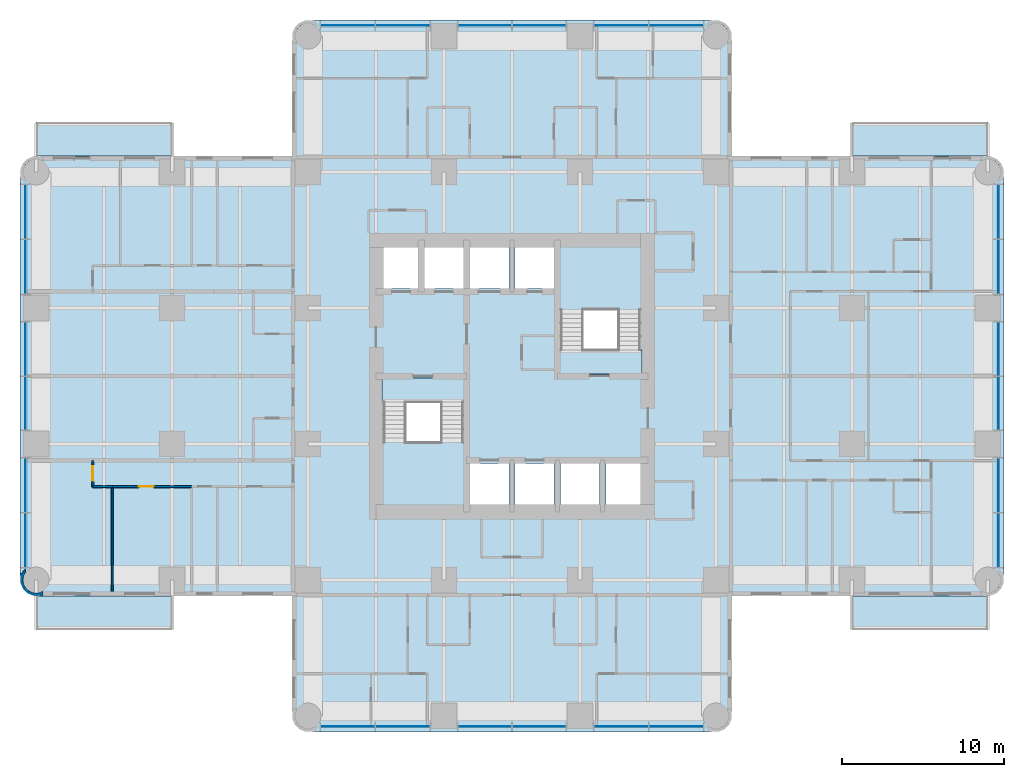
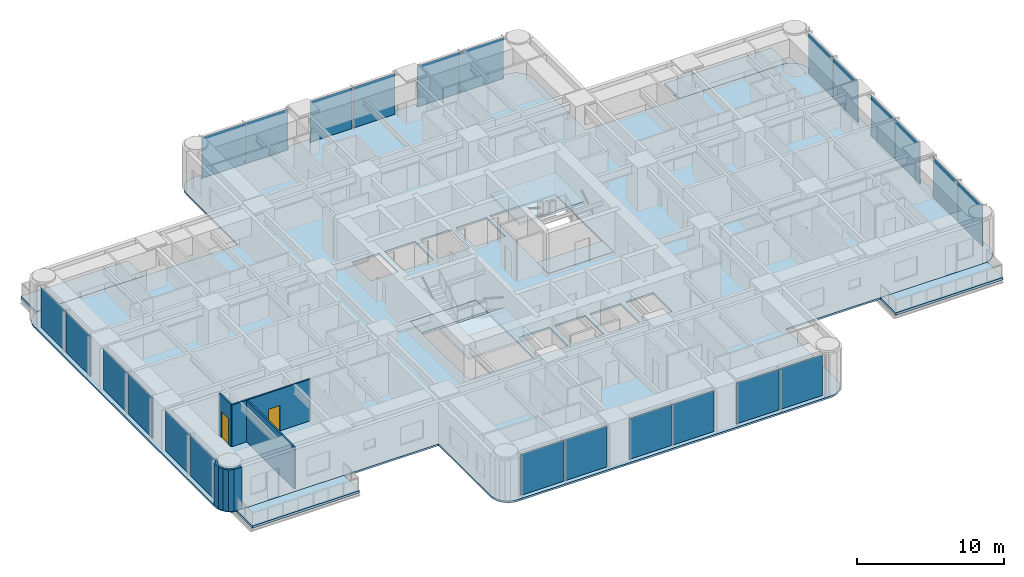
# One storey, part 5 of 14: 24 plates, 9 slabs, 5 walls, 2 doors, 2 openings, 6 elements without a shape of their own.
"""IFC4 building model written with IfcOpenShell, lengths in metres."""

import ifcopenshell
import ifcopenshell.guid

model = None  # the IFC model being written
_history = None  # IfcOwnerHistory: only IFC2X3 demands one
_inside = {}  # id of a spatial element -> (the spatial element, [elements in it])
_under = {}  # id of a project, library or spatial element -> (it, [spatial elements below it])
_declared = {}  # id of a project -> (the project, [libraries it declares])
_typed = {}  # id of a type object -> (the type object, [elements of that type])
_made_of = {}  # id of a material, layer set ... -> (it, [elements and type objects made of it])


def new_model(schema):
    """Start an empty IFC model of exactly this schema.

    Asked for "IFC4X3", IfcOpenShell would pick the latest addendum, in which some entities
    have other attributes; the version numbers below select the first issue.
    IFC2X3 requires an IfcOwnerHistory on every rooted entity: one is made here for all.
    """
    global model, _history
    if schema == "IFC4X3":
        model = ifcopenshell.file(schema_version=(4, 3, 0, 0))
    else:
        model = ifcopenshell.file(schema=schema)
    _inside.clear()
    _under.clear()
    _declared.clear()
    _typed.clear()
    _made_of.clear()
    _history = None
    if model.schema == "IFC2X3":
        org = make("IfcOrganization", Name="unknown")
        user = make(
            "IfcPersonAndOrganization",
            ThePerson=make("IfcPerson", FamilyName="unknown"),
            TheOrganization=org,
        )
        app = make(
            "IfcApplication",
            ApplicationDeveloper=org,
            Version="unknown",
            ApplicationFullName="unknown",
            ApplicationIdentifier="unknown",
        )
        _history = make(
            "IfcOwnerHistory",
            OwningUser=user,
            OwningApplication=app,
            ChangeAction="ADDED",
            CreationDate=0,
        )
    return model


def make(cls, **values):
    """One entity of the class cls with the attributes given. An attribute that is None is left unset."""
    return model.create_entity(
        cls, **{name: value for name, value in values.items() if value is not None}
    )


def rooted(cls, **values):
    """An entity with a GlobalId (a new one), such as an element, a storey or a relation."""
    return make(cls, GlobalId=ifcopenshell.guid.new(), OwnerHistory=_history, **values)


def si_unit(unit_type, name, prefix=None):
    """IfcSIUnit, for example si_unit("LENGTHUNIT", "METRE", prefix="MILLI")."""
    return make("IfcSIUnit", UnitType=unit_type, Prefix=prefix, Name=name)


def assignment(units):
    """IfcUnitAssignment: the units of a project."""
    return None if units is None else make("IfcUnitAssignment", Units=units)


def point(xyz):
    """IfcCartesianPoint."""
    return None if xyz is None else make("IfcCartesianPoint", Coordinates=xyz)


def direction(xyz):
    """IfcDirection."""
    return None if xyz is None else make("IfcDirection", DirectionRatios=xyz)


def frame(location, z_axis=None, x_axis=None):
    """IfcAxis2Placement3D, a coordinate frame: its origin and axes. An axis left out is left unset."""
    return make(
        "IfcAxis2Placement3D",
        Location=point(location),
        Axis=direction(z_axis),
        RefDirection=direction(x_axis),
    )


def frame_2d(location, x_axis=None):
    """IfcAxis2Placement2D, a coordinate frame in the plane: its origin and x axis."""
    return make(
        "IfcAxis2Placement2D", Location=point(location), RefDirection=direction(x_axis)
    )


def origin():
    """The frame at (0, 0, 0) with its axes left unset."""
    return frame((0.0, 0.0, 0.0))


def origin_2d():
    """The frame at (0, 0) in the plane with its x axis left unset."""
    return frame_2d((0.0, 0.0))


def place(relative_to, where):
    """IfcLocalPlacement: puts the frame where relative to a parent placement (None: the world)."""
    return make(
        "IfcLocalPlacement", PlacementRelTo=relative_to, RelativePlacement=where
    )


def context(
    kind, dimensions, precision=None, world=None, true_north=None, identifier=None
):
    """IfcGeometricRepresentationContext, for example the 3D "Model" context."""
    return make(
        "IfcGeometricRepresentationContext",
        ContextIdentifier=identifier,
        ContextType=kind,
        CoordinateSpaceDimension=dimensions,
        Precision=precision,
        WorldCoordinateSystem=world,
        TrueNorth=true_north,
    )


def subcontext(parent, identifier, kind, view, scale=None):
    """IfcGeometricRepresentationSubContext, for example "Body" below "Model"."""
    return make(
        "IfcGeometricRepresentationSubContext",
        ContextIdentifier=identifier,
        ContextType=kind,
        ParentContext=parent,
        TargetScale=scale,
        TargetView=view,
    )


def project(units=None, contexts=None):
    """IfcProject with its units and contexts."""
    return rooted(
        "IfcProject",
        Name="project",
        RepresentationContexts=contexts,
        UnitsInContext=assignment(units),
    )


def spatial(cls, under=None, at=None, **own):
    """A site, building, storey or space (cls), placed at a placement, below another one or the project."""
    s = rooted(cls, ObjectPlacement=at, **own)
    if under is not None:
        _under.setdefault(under.id(), (under, []))[1].append(s)
    return s


def polyline(points):
    """IfcPolyline through the points."""
    return make("IfcPolyline", Points=[point(p) for p in points])


def profile(cls, at=None, kind="AREA", **sizes):
    """A parametric profile (cls). Its sizes go by their IFC names, for example OverallWidth=200.0."""
    return make(cls, ProfileType=kind, Position=at, **sizes)


def rectangle(**sizes):
    """IfcRectangleProfileDef."""
    return profile("IfcRectangleProfileDef", **sizes)


def outline(outer, holes=None, kind="AREA"):
    """IfcArbitraryClosedProfileDef: a profile drawn as a closed curve; with holes, ...WithVoids."""
    if holes is None:
        return make("IfcArbitraryClosedProfileDef", ProfileType=kind, OuterCurve=outer)
    return make(
        "IfcArbitraryProfileDefWithVoids",
        ProfileType=kind,
        OuterCurve=outer,
        InnerCurves=holes,
    )


def extrude(swept, where, along, depth):
    """IfcExtrudedAreaSolid: the profile swept, set in the frame where, extruded along a direction by depth."""
    return make(
        "IfcExtrudedAreaSolid",
        SweptArea=swept,
        Position=where,
        ExtrudedDirection=direction(along),
        Depth=depth,
    )


def shape(context_of_items, identifier, shape_type, items):
    """IfcShapeRepresentation: the items that make up one representation, for example the "Body"."""
    return make(
        "IfcShapeRepresentation",
        ContextOfItems=context_of_items,
        RepresentationIdentifier=identifier,
        RepresentationType=shape_type,
        Items=items,
    )


def material(Name=None, Category=None):
    """IfcMaterial."""
    return make("IfcMaterial", Name=Name, Category=Category)


def layer(
    of_material, thickness, ventilated=None, Name=None, Category=None, Priority=None
):
    """IfcMaterialLayer: one layer of a wall or slab, of a material (None: an air gap)."""
    return make(
        "IfcMaterialLayer",
        Material=of_material,
        LayerThickness=thickness,
        IsVentilated=ventilated,
        Name=Name,
        Category=Category,
        Priority=Priority,
    )


def layer_set(layers, Name=None):
    """IfcMaterialLayerSet."""
    return make("IfcMaterialLayerSet", MaterialLayers=layers, LayerSetName=Name)


def made_of(thing, what):
    """Note that an element or type object is made of a material, layer set ...; save() writes the relation."""
    if what is not None:
        _made_of.setdefault(what.id(), (what, []))[1].append(thing)
    return thing


def type_object(cls, material=None, **own):
    """A type object (cls), such as IfcWallType, which elements share."""
    return made_of(rooted(cls, **own), material)


def element(
    cls,
    number,
    at=None,
    inside=None,
    cuts=None,
    type_object=None,
    material=None,
    context=None,
    identifier="Body",
    shape_type=None,
    held_by="IfcProductDefinitionShape",
    body=None,
    shapes=None,
    **own,
):
    """One element of the class cls, such as IfcWall. Its Tag is "e" and its number.

    at: its placement. inside: the storey or other place that contains it. cuts: it is an
    opening in that element (IfcRelVoidsElement). A single representation is given by context,
    identifier, shape_type and body (its items); several are given by shapes. held_by: the class
    of the entity that holds the representations. save() writes the other relations.
    """
    e = rooted(cls, Tag="e%d" % number, ObjectPlacement=at, **own)
    if body is not None:
        shapes = [shape(context, identifier, shape_type, body)]
    if shapes is not None:
        e.Representation = make(held_by, Representations=shapes)
    if inside is not None:
        _inside.setdefault(inside.id(), (inside, []))[1].append(e)
    if cuts is not None:
        rooted(
            "IfcRelVoidsElement", RelatingBuildingElement=cuts, RelatedOpeningElement=e
        )
    if type_object is not None:
        _typed.setdefault(type_object.id(), (type_object, []))[1].append(e)
    return made_of(e, material)


def fill(opening, filler):
    """IfcRelFillsElement: the door or window that sits in an opening."""
    return rooted(
        "IfcRelFillsElement",
        RelatingOpeningElement=opening,
        RelatedBuildingElement=filler,
    )


def aggregate(whole, parts):
    """IfcRelAggregates: a whole, such as a stair, and the parts it consists of."""
    return rooted("IfcRelAggregates", RelatingObject=whole, RelatedObjects=parts)


def save(model, path):
    """Write the relations noted so far, then the file.

    IfcRelAggregates (storeys below a building ...), IfcRelContainedInSpatialStructure (elements
    in a storey), IfcRelDefinesByType, IfcRelAssociatesMaterial and IfcRelDeclares: one each for
    every whole, place, type object, material and project.
    """
    for whole, parts in _under.values():
        aggregate(whole, parts)
    for where, things in _inside.values():
        rooted(
            "IfcRelContainedInSpatialStructure",
            RelatedElements=things,
            RelatingStructure=where,
        )
    for kind, things in _typed.values():
        rooted("IfcRelDefinesByType", RelatedObjects=things, RelatingType=kind)
    for what, things in _made_of.values():
        rooted("IfcRelAssociatesMaterial", RelatedObjects=things, RelatingMaterial=what)
    for by, libraries in _declared.values():
        rooted("IfcRelDeclares", RelatingContext=by, RelatedDefinitions=libraries)
    model.write(path)


model = new_model("IFC4")

# Units and contexts
model_context = context("Model", 3, precision=1e-05, world=origin(), true_north=direction((0.0, 1.0)))
body_context = subcontext(model_context, "Body", "Model", "MODEL_VIEW")
ifc_project = project(units=[si_unit("LENGTHUNIT", "METRE"), si_unit("AREAUNIT", "SQUARE_METRE"), si_unit("VOLUMEUNIT", "CUBIC_METRE"), si_unit("PLANEANGLEUNIT", "RADIAN"), si_unit("MASSUNIT", "GRAM", prefix="KILO")], contexts=[model_context])

# Site, building, storey
site_placement = place(None, origin())
site = spatial("IfcSite", under=ifc_project, at=site_placement, CompositionType="ELEMENT")
building_placement = place(site_placement, origin())
building = spatial("IfcBuilding", under=site, at=building_placement, Name="Torre Alcanfor", CompositionType="ELEMENT")
storey_placement = place(building_placement, frame((0.0, 0.0, 137.699951171875)))
storey = spatial("IfcBuildingStorey", under=building, at=storey_placement, Name="L35", CompositionType="ELEMENT", Elevation=137.699951171875)

# Slabs
ifc_material_1 = material(Name="Concrete f'c 35 MPa", Category="concrete")
ifc_layer_1 = layer(ifc_material_1, 0.199951171875)
ifc_layer_set_1 = layer_set([ifc_layer_1], Name="Balcony slab 200")
slab_type_1 = type_object("IfcSlabType", Name="Balcony slab 200", PredefinedType="FLOOR", material=ifc_layer_set_1)
slab_1_placement = place(storey_placement, frame((0.0, 0.0, -0.199951171875)))
element("IfcSlab", 1, at=slab_1_placement, inside=storey, type_object=slab_type_1, Name="Balcony L35-E1", PredefinedType="FLOOR", context=body_context, shape_type="SweptSolid", body=[
    extrude(outline(polyline([(50.39990234375, 43.0), (58.800048828125, 43.0), (58.800048828125, 45.10009765625), (50.39990234375, 45.10009765625), (50.39990234375, 43.0)])), origin(), (0.0, 0.0, 1.0), 0.199951171875),
])
slab_2_placement = place(storey_placement, frame((0.0, 0.0, -0.199951171875)))
element("IfcSlab", 2, at=slab_2_placement, inside=storey, type_object=slab_type_1, Name="Balcony L35-E2", PredefinedType="FLOOR", context=body_context, shape_type="SweptSolid", body=[
    extrude(outline(polyline([(50.39990234375, 13.699951171875), (58.800048828125, 13.699951171875), (58.800048828125, 15.800048828125), (50.39990234375, 15.800048828125), (50.39990234375, 13.699951171875)])), origin(), (0.0, 0.0, 1.0), 0.199951171875),
])
slab_3_placement = place(storey_placement, frame((0.0, 0.0, -0.199951171875)))
element("IfcSlab", 3, at=slab_3_placement, inside=storey, type_object=slab_type_1, Name="Balcony L35-W1", PredefinedType="FLOOR", context=body_context, shape_type="SweptSolid", body=[
    extrude(outline(polyline([(8.39990234375, 15.800048828125), (0.0, 15.800048828125), (0.0, 13.699951171875), (8.39990234375, 13.699951171875), (8.39990234375, 15.800048828125)])), origin(), (0.0, 0.0, 1.0), 0.199951171875),
])
slab_4_placement = place(storey_placement, frame((0.0, 0.0, -0.199951171875)))
element("IfcSlab", 4, at=slab_4_placement, inside=storey, type_object=slab_type_1, Name="Balcony L35-W2", PredefinedType="FLOOR", context=body_context, shape_type="SweptSolid", body=[
    extrude(outline(polyline([(8.39990234375, 45.10009765625), (0.0, 45.10009765625), (0.0, 43.0), (8.39990234375, 43.0), (8.39990234375, 45.10009765625)])), origin(), (0.0, 0.0, 1.0), 0.199951171875),
])

# Curtain wall, plates
ifc_material_2 = material(Name="Aluminium and glass", Category="aluminium")
curtain_wall_type = type_object("IfcCurtainWallType", Name="CW-A unitised apartment glazing with vertical FIN", PredefinedType="NOTDEFINED", material=ifc_material_2)
curtain_wall_1_placement = place(storey_placement, origin())
curtain_wall_1 = element("IfcCurtainWall", 5, at=curtain_wall_1_placement, inside=storey, type_object=curtain_wall_type, Name="Curtain wall CW-A L35 2", PredefinedType="NOTDEFINED")
ifc_material_3 = material(Name="Glass", Category="glass")
ifc_layer_2 = layer(ifc_material_3, 0.028076171875)
ifc_layer_set_2 = layer_set([ifc_layer_2], Name="CW-A clear double glazed unit")
plate_type = type_object("IfcPlateType", Name="CW-A clear double glazed unit", PredefinedType="CURTAIN_PANEL", material=ifc_layer_set_2)
plate_1_placement = place(storey_placement, frame((-0.64990234375, 39.541259765625, 0.0), z_axis=(0.0, 0.0, 1.0), x_axis=(0.0, -1.0, 0.0)))
plate_1 = element("IfcPlate", 6, at=plate_1_placement, type_object=plate_type, Name="CW-A panel 1.1.1", PredefinedType="CURTAIN_PANEL", context=body_context, shape_type="SweptSolid", body=[
    extrude(rectangle(XDim=3.337646484375, YDim=0.028076171875, at=origin_2d()), origin(), (0.0, 0.0, 1.0), 3.385009765625),
])
plate_2_placement = place(storey_placement, frame((-0.64990234375, 36.138671875, 0.0), z_axis=(0.0, 0.0, 1.0), x_axis=(0.0, -1.0, 0.0)))
plate_2 = element("IfcPlate", 7, at=plate_2_placement, type_object=plate_type, Name="CW-A panel 1.2.1", PredefinedType="CURTAIN_PANEL", context=body_context, shape_type="SweptSolid", body=[
    extrude(rectangle(XDim=3.337646484375, YDim=0.028076171875, at=origin_2d()), origin(), (0.0, 0.0, 1.0), 3.385009765625),
])
plate_3_placement = place(storey_placement, frame((-0.64990234375, 31.081298828125, 0.0), z_axis=(0.0, 0.0, 1.0), x_axis=(0.0, -1.0, 0.0)))
plate_3 = element("IfcPlate", 8, at=plate_3_placement, type_object=plate_type, Name="CW-A panel 2.1.1", PredefinedType="CURTAIN_PANEL", context=body_context, shape_type="SweptSolid", body=[
    extrude(rectangle(XDim=3.297607421875, YDim=0.028076171875, at=origin_2d()), origin(), (0.0, 0.0, 1.0), 3.385009765625),
])
plate_4_placement = place(storey_placement, frame((-0.64990234375, 27.71875, 0.0), z_axis=(0.0, 0.0, 1.0), x_axis=(0.0, -1.0, 0.0)))
plate_4 = element("IfcPlate", 9, at=plate_4_placement, type_object=plate_type, Name="CW-A panel 2.2.1", PredefinedType="CURTAIN_PANEL", context=body_context, shape_type="SweptSolid", body=[
    extrude(rectangle(XDim=3.297607421875, YDim=0.028076171875, at=origin_2d()), origin(), (0.0, 0.0, 1.0), 3.385009765625),
])
plate_5_placement = place(storey_placement, frame((-0.64990234375, 22.6611328125, 0.0), z_axis=(0.0, 0.0, 1.0), x_axis=(0.0, -1.0, 0.0)))
plate_5 = element("IfcPlate", 10, at=plate_5_placement, type_object=plate_type, Name="CW-A panel 3.1.1", PredefinedType="CURTAIN_PANEL", context=body_context, shape_type="SweptSolid", body=[
    extrude(rectangle(XDim=3.337646484375, YDim=0.028076171875, at=origin_2d()), origin(), (0.0, 0.0, 1.0), 3.385009765625),
])
plate_6_placement = place(storey_placement, frame((-0.64990234375, 19.2587890625, 0.0), z_axis=(0.0, 0.0, 1.0), x_axis=(0.0, -1.0, 0.0)))
plate_6 = element("IfcPlate", 11, at=plate_6_placement, type_object=plate_type, Name="CW-A panel 3.2.1", PredefinedType="CURTAIN_PANEL", context=body_context, shape_type="SweptSolid", body=[
    extrude(rectangle(XDim=3.337646484375, YDim=0.028076171875, at=origin_2d()), origin(), (0.0, 0.0, 1.0), 3.385009765625),
])
aggregate(curtain_wall_1, [plate_1, plate_2, plate_3, plate_4, plate_5, plate_6])

curtain_wall_2_placement = place(storey_placement, origin())
curtain_wall_2 = element("IfcCurtainWall", 12, at=curtain_wall_2_placement, inside=storey, type_object=curtain_wall_type, Name="Curtain wall CW-A L35 5", PredefinedType="NOTDEFINED")
plate_7_placement = place(storey_placement, frame((19.2587890625, 7.75, 0.0), z_axis=(0.0, 0.0, 1.0), x_axis=(1.0, 0.0, 0.0)))
plate_7 = element("IfcPlate", 13, at=plate_7_placement, type_object=plate_type, Name="CW-A panel 1.1.1", PredefinedType="CURTAIN_PANEL", context=body_context, shape_type="SweptSolid", body=[
    extrude(rectangle(XDim=3.337646484375, YDim=0.028076171875, at=origin_2d()), origin(), (0.0, 0.0, 1.0), 3.385009765625),
])
plate_8_placement = place(storey_placement, frame((22.6611328125, 7.75, 0.0), z_axis=(0.0, 0.0, 1.0), x_axis=(1.0, 0.0, 0.0)))
plate_8 = element("IfcPlate", 14, at=plate_8_placement, type_object=plate_type, Name="CW-A panel 1.2.1", PredefinedType="CURTAIN_PANEL", context=body_context, shape_type="SweptSolid", body=[
    extrude(rectangle(XDim=3.337646484375, YDim=0.028076171875, at=origin_2d()), origin(), (0.0, 0.0, 1.0), 3.385009765625),
])
plate_9_placement = place(storey_placement, frame((27.71875, 7.75, 0.0), z_axis=(0.0, 0.0, 1.0), x_axis=(1.0, 0.0, 0.0)))
plate_9 = element("IfcPlate", 15, at=plate_9_placement, type_object=plate_type, Name="CW-A panel 2.1.1", PredefinedType="CURTAIN_PANEL", context=body_context, shape_type="SweptSolid", body=[
    extrude(rectangle(XDim=3.297607421875, YDim=0.028076171875, at=origin_2d()), origin(), (0.0, 0.0, 1.0), 3.385009765625),
])
plate_10_placement = place(storey_placement, frame((31.081298828125, 7.75, 0.0), z_axis=(0.0, 0.0, 1.0), x_axis=(1.0, 0.0, 0.0)))
plate_10 = element("IfcPlate", 16, at=plate_10_placement, type_object=plate_type, Name="CW-A panel 2.2.1", PredefinedType="CURTAIN_PANEL", context=body_context, shape_type="SweptSolid", body=[
    extrude(rectangle(XDim=3.297607421875, YDim=0.028076171875, at=origin_2d()), origin(), (0.0, 0.0, 1.0), 3.385009765625),
])
plate_11_placement = place(storey_placement, frame((36.138671875, 7.75, 0.0), z_axis=(0.0, 0.0, 1.0), x_axis=(1.0, 0.0, 0.0)))
plate_11 = element("IfcPlate", 17, at=plate_11_placement, type_object=plate_type, Name="CW-A panel 3.1.1", PredefinedType="CURTAIN_PANEL", context=body_context, shape_type="SweptSolid", body=[
    extrude(rectangle(XDim=3.337646484375, YDim=0.028076171875, at=origin_2d()), origin(), (0.0, 0.0, 1.0), 3.385009765625),
])
plate_12_placement = place(storey_placement, frame((39.541259765625, 7.75, 0.0), z_axis=(0.0, 0.0, 1.0), x_axis=(1.0, 0.0, 0.0)))
plate_12 = element("IfcPlate", 18, at=plate_12_placement, type_object=plate_type, Name="CW-A panel 3.2.1", PredefinedType="CURTAIN_PANEL", context=body_context, shape_type="SweptSolid", body=[
    extrude(rectangle(XDim=3.337646484375, YDim=0.028076171875, at=origin_2d()), origin(), (0.0, 0.0, 1.0), 3.385009765625),
])
aggregate(curtain_wall_2, [plate_7, plate_8, plate_9, plate_10, plate_11, plate_12])

curtain_wall_3_placement = place(storey_placement, origin())
curtain_wall_3 = element("IfcCurtainWall", 19, at=curtain_wall_3_placement, inside=storey, type_object=curtain_wall_type, Name="Curtain wall CW-A L35 8", PredefinedType="NOTDEFINED")
plate_13_placement = place(storey_placement, frame((59.449951171875, 19.2587890625, 0.0), z_axis=(0.0, 0.0, 1.0), x_axis=(0.0, 1.0, 0.0)))
plate_13 = element("IfcPlate", 20, at=plate_13_placement, type_object=plate_type, Name="CW-A panel 1.1.1", PredefinedType="CURTAIN_PANEL", context=body_context, shape_type="SweptSolid", body=[
    extrude(rectangle(XDim=3.337646484375, YDim=0.028076171875, at=origin_2d()), origin(), (0.0, 0.0, 1.0), 3.385009765625),
])
plate_14_placement = place(storey_placement, frame((59.449951171875, 22.6611328125, 0.0), z_axis=(0.0, 0.0, 1.0), x_axis=(0.0, 1.0, 0.0)))
plate_14 = element("IfcPlate", 21, at=plate_14_placement, type_object=plate_type, Name="CW-A panel 1.2.1", PredefinedType="CURTAIN_PANEL", context=body_context, shape_type="SweptSolid", body=[
    extrude(rectangle(XDim=3.337646484375, YDim=0.028076171875, at=origin_2d()), origin(), (0.0, 0.0, 1.0), 3.385009765625),
])
plate_15_placement = place(storey_placement, frame((59.449951171875, 27.71875, 0.0), z_axis=(0.0, 0.0, 1.0), x_axis=(0.0, 1.0, 0.0)))
plate_15 = element("IfcPlate", 22, at=plate_15_placement, type_object=plate_type, Name="CW-A panel 2.1.1", PredefinedType="CURTAIN_PANEL", context=body_context, shape_type="SweptSolid", body=[
    extrude(rectangle(XDim=3.297607421875, YDim=0.028076171875, at=origin_2d()), origin(), (0.0, 0.0, 1.0), 3.385009765625),
])
plate_16_placement = place(storey_placement, frame((59.449951171875, 31.081298828125, 0.0), z_axis=(0.0, 0.0, 1.0), x_axis=(0.0, 1.0, 0.0)))
plate_16 = element("IfcPlate", 23, at=plate_16_placement, type_object=plate_type, Name="CW-A panel 2.2.1", PredefinedType="CURTAIN_PANEL", context=body_context, shape_type="SweptSolid", body=[
    extrude(rectangle(XDim=3.297607421875, YDim=0.028076171875, at=origin_2d()), origin(), (0.0, 0.0, 1.0), 3.385009765625),
])
plate_17_placement = place(storey_placement, frame((59.449951171875, 36.138671875, 0.0), z_axis=(0.0, 0.0, 1.0), x_axis=(0.0, 1.0, 0.0)))
plate_17 = element("IfcPlate", 24, at=plate_17_placement, type_object=plate_type, Name="CW-A panel 3.1.1", PredefinedType="CURTAIN_PANEL", context=body_context, shape_type="SweptSolid", body=[
    extrude(rectangle(XDim=3.337646484375, YDim=0.028076171875, at=origin_2d()), origin(), (0.0, 0.0, 1.0), 3.385009765625),
])
plate_18_placement = place(storey_placement, frame((59.449951171875, 39.541259765625, 0.0), z_axis=(0.0, 0.0, 1.0), x_axis=(0.0, 1.0, 0.0)))
plate_18 = element("IfcPlate", 25, at=plate_18_placement, type_object=plate_type, Name="CW-A panel 3.2.1", PredefinedType="CURTAIN_PANEL", context=body_context, shape_type="SweptSolid", body=[
    extrude(rectangle(XDim=3.337646484375, YDim=0.028076171875, at=origin_2d()), origin(), (0.0, 0.0, 1.0), 3.385009765625),
])
aggregate(curtain_wall_3, [plate_13, plate_14, plate_15, plate_16, plate_17, plate_18])

curtain_wall_4_placement = place(storey_placement, origin())
curtain_wall_4 = element("IfcCurtainWall", 26, at=curtain_wall_4_placement, inside=storey, type_object=curtain_wall_type, Name="Curtain wall CW-A L35 11", PredefinedType="NOTDEFINED")
plate_19_placement = place(storey_placement, frame((39.541259765625, 51.050048828125, 0.0), z_axis=(0.0, 0.0, 1.0), x_axis=(-1.0, 0.0, 0.0)))
plate_19 = element("IfcPlate", 27, at=plate_19_placement, type_object=plate_type, Name="CW-A panel 1.1.1", PredefinedType="CURTAIN_PANEL", context=body_context, shape_type="SweptSolid", body=[
    extrude(rectangle(XDim=3.337646484375, YDim=0.028076171875, at=origin_2d()), origin(), (0.0, 0.0, 1.0), 3.385009765625),
])
plate_20_placement = place(storey_placement, frame((36.138671875, 51.050048828125, 0.0), z_axis=(0.0, 0.0, 1.0), x_axis=(-1.0, 0.0, 0.0)))
plate_20 = element("IfcPlate", 28, at=plate_20_placement, type_object=plate_type, Name="CW-A panel 1.2.1", PredefinedType="CURTAIN_PANEL", context=body_context, shape_type="SweptSolid", body=[
    extrude(rectangle(XDim=3.337646484375, YDim=0.028076171875, at=origin_2d()), origin(), (0.0, 0.0, 1.0), 3.385009765625),
])
plate_21_placement = place(storey_placement, frame((31.081298828125, 51.050048828125, 0.0), z_axis=(0.0, 0.0, 1.0), x_axis=(-1.0, 0.0, 0.0)))
plate_21 = element("IfcPlate", 29, at=plate_21_placement, type_object=plate_type, Name="CW-A panel 2.1.1", PredefinedType="CURTAIN_PANEL", context=body_context, shape_type="SweptSolid", body=[
    extrude(rectangle(XDim=3.297607421875, YDim=0.028076171875, at=origin_2d()), origin(), (0.0, 0.0, 1.0), 3.385009765625),
])
plate_22_placement = place(storey_placement, frame((27.71875, 51.050048828125, 0.0), z_axis=(0.0, 0.0, 1.0), x_axis=(-1.0, 0.0, 0.0)))
plate_22 = element("IfcPlate", 30, at=plate_22_placement, type_object=plate_type, Name="CW-A panel 2.2.1", PredefinedType="CURTAIN_PANEL", context=body_context, shape_type="SweptSolid", body=[
    extrude(rectangle(XDim=3.297607421875, YDim=0.028076171875, at=origin_2d()), origin(), (0.0, 0.0, 1.0), 3.385009765625),
])
plate_23_placement = place(storey_placement, frame((22.6611328125, 51.050048828125, 0.0), z_axis=(0.0, 0.0, 1.0), x_axis=(-1.0, 0.0, 0.0)))
plate_23 = element("IfcPlate", 31, at=plate_23_placement, type_object=plate_type, Name="CW-A panel 3.1.1", PredefinedType="CURTAIN_PANEL", context=body_context, shape_type="SweptSolid", body=[
    extrude(rectangle(XDim=3.337646484375, YDim=0.028076171875, at=origin_2d()), origin(), (0.0, 0.0, 1.0), 3.385009765625),
])
plate_24_placement = place(storey_placement, frame((19.2587890625, 51.050048828125, 0.0), z_axis=(0.0, 0.0, 1.0), x_axis=(-1.0, 0.0, 0.0)))
plate_24 = element("IfcPlate", 32, at=plate_24_placement, type_object=plate_type, Name="CW-A panel 3.2.1", PredefinedType="CURTAIN_PANEL", context=body_context, shape_type="SweptSolid", body=[
    extrude(rectangle(XDim=3.337646484375, YDim=0.028076171875, at=origin_2d()), origin(), (0.0, 0.0, 1.0), 3.385009765625),
])
aggregate(curtain_wall_4, [plate_19, plate_20, plate_21, plate_22, plate_23, plate_24])

# Slab
ifc_material_4 = material(Name="Concrete f'c 35 MPa", Category="concrete")
ifc_layer_3 = layer(ifc_material_4, 0.14990234375)
ifc_layer_set_3 = layer_set([ifc_layer_3], Name="Composite floor 150 on metal deck")
slab_type_2 = type_object("IfcSlabType", Name="Composite floor 150 on metal deck", PredefinedType="FLOOR", material=ifc_layer_set_3)
slab_5_placement = place(storey_placement, frame((0.0, 0.0, -0.14990234375)))
element("IfcSlab", 33, at=slab_5_placement, inside=storey, type_object=slab_type_2, Name="Floor slab L35", PredefinedType="FLOOR", context=body_context, shape_type="SweptSolid", body=[
    extrude(outline(polyline([(15.800048828125, 43.0), (0.39990234375, 43.0), (0.03759765625, 42.952392578125), (-0.300048828125, 42.8125), (-0.58984375, 42.58984375), (-0.8125, 42.300048828125), (-0.952392578125, 41.96240234375), (-1.0, 41.60009765625), (-1.0, 17.199951171875), (-0.952392578125, 16.837646484375), (-0.8125, 16.5), (-0.58984375, 16.210205078125), (-0.300048828125, 15.987548828125), (0.03759765625, 15.84765625), (0.39990234375, 15.800048828125), (15.800048828125, 15.800048828125), (15.800048828125, 8.800048828125), (15.84765625, 8.437744140625), (15.987548828125, 8.10009765625), (16.210205078125, 7.81005859375), (16.5, 7.587646484375), (16.837646484375, 7.44775390625), (17.199951171875, 7.39990234375), (41.60009765625, 7.39990234375), (41.96240234375, 7.44775390625), (42.300048828125, 7.587646484375), (42.58984375, 7.81005859375), (42.8125, 8.10009765625), (42.952392578125, 8.437744140625), (43.0, 8.800048828125), (43.0, 15.800048828125), (58.39990234375, 15.800048828125), (58.76220703125, 15.84765625), (59.10009765625, 15.987548828125), (59.389892578125, 16.210205078125), (59.6123046875, 16.5), (59.752197265625, 16.837646484375), (59.800048828125, 17.199951171875), (59.800048828125, 41.60009765625), (59.752197265625, 41.96240234375), (59.6123046875, 42.300048828125), (59.389892578125, 42.58984375), (59.10009765625, 42.8125), (58.76220703125, 42.952392578125), (58.39990234375, 43.0), (43.0, 43.0), (43.0, 50.0), (42.952392578125, 50.3623046875), (42.8125, 50.699951171875), (42.58984375, 50.989990234375), (42.300048828125, 51.21240234375), (41.96240234375, 51.352294921875), (41.60009765625, 51.39990234375), (17.199951171875, 51.39990234375), (16.837646484375, 51.352294921875), (16.5, 51.21240234375), (16.210205078125, 50.989990234375), (15.987548828125, 50.699951171875), (15.84765625, 50.3623046875), (15.800048828125, 50.0), (15.800048828125, 43.0)]), holes=[polyline([(21.3701171875, 21.3701171875), (26.47998046875, 21.3701171875), (26.47998046875, 29.280029296875), (21.3701171875, 29.280029296875), (21.3701171875, 21.3701171875)]), polyline([(32.320068359375, 29.52001953125), (37.429931640625, 29.52001953125), (37.429931640625, 37.429931640625), (32.320068359375, 37.429931640625), (32.320068359375, 29.52001953125)]), polyline([(26.800048828125, 21.449951171875), (29.199951171875, 21.449951171875), (29.199951171875, 24.0), (26.800048828125, 24.0), (26.800048828125, 21.449951171875)]), polyline([(29.60009765625, 21.449951171875), (32.0, 21.449951171875), (32.0, 24.0), (29.60009765625, 24.0), (29.60009765625, 21.449951171875)]), polyline([(32.39990234375, 21.449951171875), (34.800048828125, 21.449951171875), (34.800048828125, 24.0), (32.39990234375, 24.0), (32.39990234375, 21.449951171875)]), polyline([(35.199951171875, 21.449951171875), (37.35009765625, 21.449951171875), (37.35009765625, 24.0), (35.199951171875, 24.0), (35.199951171875, 21.449951171875)]), polyline([(21.449951171875, 34.800048828125), (23.60009765625, 34.800048828125), (23.60009765625, 37.35009765625), (21.449951171875, 37.35009765625), (21.449951171875, 34.800048828125)]), polyline([(24.0, 34.800048828125), (26.39990234375, 34.800048828125), (26.39990234375, 37.35009765625), (24.0, 37.35009765625), (24.0, 34.800048828125)]), polyline([(26.800048828125, 34.800048828125), (29.199951171875, 34.800048828125), (29.199951171875, 37.35009765625), (26.800048828125, 37.35009765625), (26.800048828125, 34.800048828125)]), polyline([(29.60009765625, 34.800048828125), (32.0, 34.800048828125), (32.0, 37.35009765625), (29.60009765625, 37.35009765625), (29.60009765625, 34.800048828125)])]), origin(), (0.0, 0.0, 1.0), 0.14990234375),
])

# Stair, slabs
ifc_material_5 = material(Name="Concrete f'c 35 MPa", Category="concrete")
stair_type_1 = type_object("IfcStairType", Name="Exit stair S1 1400 wide", PredefinedType="HALF_TURN_STAIR", material=ifc_material_5)
stair_1_placement = place(storey_placement, origin())
stair_1 = element("IfcStair", 34, at=stair_1_placement, inside=storey, type_object=stair_type_1, Name="Stair S1 L35 to L36", PredefinedType="HALF_TURN_STAIR")
ifc_material_6 = material(Name="Concrete f'c 35 MPa", Category="concrete")
ifc_layer_4 = layer(ifc_material_6, 0.199951171875)
ifc_layer_set_4 = layer_set([ifc_layer_4], Name="Stair landing 200")
slab_type_3 = type_object("IfcSlabType", Name="Stair landing 200", PredefinedType="LANDING", material=ifc_layer_set_4)
slab_6_placement = place(storey_placement, frame((0.0, 0.0, -0.199951171875)))
slab_6 = element("IfcSlab", 35, at=slab_6_placement, type_object=slab_type_3, Name="S1 landing 1", PredefinedType="LANDING", context=body_context, shape_type="SweptSolid", body=[
    extrude(outline(polyline([(21.3701171875, 27.75), (26.47998046875, 27.75), (26.47998046875, 29.280029296875), (21.3701171875, 29.280029296875), (21.3701171875, 27.75)])), origin(), (0.0, 0.0, 1.0), 0.199951171875),
])
slab_7_placement = place(storey_placement, frame((0.0, 0.0, 1.60009765625)))
slab_7 = element("IfcSlab", 36, at=slab_7_placement, type_object=slab_type_3, Name="S1 landing 2", PredefinedType="LANDING", context=body_context, shape_type="SweptSolid", body=[
    extrude(outline(polyline([(21.3701171875, 21.3701171875), (26.47998046875, 21.3701171875), (26.47998046875, 25.330078125), (21.3701171875, 25.330078125), (21.3701171875, 21.3701171875)])), origin(), (0.0, 0.0, 1.0), 0.199951171875),
])
aggregate(stair_1, [slab_6, slab_7])

ifc_material_7 = material(Name="Concrete f'c 35 MPa", Category="concrete")
stair_type_2 = type_object("IfcStairType", Name="Exit stair S2 1400 wide", PredefinedType="HALF_TURN_STAIR", material=ifc_material_7)
stair_2_placement = place(storey_placement, origin())
stair_2 = element("IfcStair", 37, at=stair_2_placement, inside=storey, type_object=stair_type_2, Name="Stair S2 L35 to L36", PredefinedType="HALF_TURN_STAIR")
slab_8_placement = place(storey_placement, frame((0.0, 0.0, -0.199951171875)))
slab_8 = element("IfcSlab", 38, at=slab_8_placement, type_object=slab_type_3, Name="S2 landing 1", PredefinedType="LANDING", context=body_context, shape_type="SweptSolid", body=[
    extrude(outline(polyline([(32.320068359375, 29.52001953125), (37.429931640625, 29.52001953125), (37.429931640625, 31.050048828125), (32.320068359375, 31.050048828125), (32.320068359375, 29.52001953125)])), origin(), (0.0, 0.0, 1.0), 0.199951171875),
])
slab_9_placement = place(storey_placement, frame((0.0, 0.0, 1.60009765625)))
slab_9 = element("IfcSlab", 39, at=slab_9_placement, type_object=slab_type_3, Name="S2 landing 2", PredefinedType="LANDING", context=body_context, shape_type="SweptSolid", body=[
    extrude(outline(polyline([(32.320068359375, 33.469970703125), (37.429931640625, 33.469970703125), (37.429931640625, 37.429931640625), (32.320068359375, 37.429931640625), (32.320068359375, 33.469970703125)])), origin(), (0.0, 0.0, 1.0), 0.199951171875),
])
aggregate(stair_2, [slab_8, slab_9])

# Wall, opening, door
ifc_material_8 = material(Name="Gypsum board on steel studs", Category="steel")
ifc_layer_5 = layer(ifc_material_8, 0.1201171875)
ifc_layer_set_5 = layer_set([ifc_layer_5], Name="Apartment partition 120")
wall_type_1 = type_object("IfcWallType", Name="Apartment partition 120", PredefinedType="PARTITIONING", material=ifc_layer_set_5)
wall_1_placement = place(storey_placement, frame((4.699951171875, 22.571044921875, 0.0), z_axis=(0.0, 0.0, 1.0), x_axis=(1.0, 0.0, 0.0)))
wall_1 = element("IfcWall", 40, at=wall_1_placement, inside=storey, type_object=wall_type_1, Name="Partition L35-W1B-HALL / L35-W1B-MASTER", PredefinedType="PARTITIONING", context=body_context, shape_type="SweptSolid", body=[
    extrude(rectangle(XDim=4.900146484375, YDim=0.1201171875, at=frame_2d((2.4501953125, 0.0))), origin(), (0.0, 0.0, 1.0), 3.449951171875),
])
opening_1_placement = place(wall_1_placement, frame((1.64990234375, 0.0, 0.0)))
opening_1 = element("IfcOpeningElement", 41, at=opening_1_placement, cuts=wall_1, Name="Opening D-R1", PredefinedType="OPENING", context=body_context, shape_type="SweptSolid", body=[
    extrude(rectangle(XDim=0.89990234375, YDim=2.10009765625, at=frame_2d((0.449951171875, 1.050048828125))), frame((0.0, 0.070068359375, 0.0), z_axis=(0.0, -1.0, 0.0), x_axis=(1.0, 0.0, 0.0)), (0.0, 0.0, 1.0), 0.14013671875),
])
ifc_material_9 = material(Name="Timber", Category="wood")
door_type = type_object("IfcDoorType", Name="Internal door 900x2100", OperationType="SINGLE_SWING_LEFT", PredefinedType="DOOR", material=ifc_material_9)
door_1_placement = place(opening_1_placement, frame((0.89990234375, 0.0, 0.0), z_axis=(0.0, 0.0, 1.0), x_axis=(-1.0, 0.0, 0.0)))
door_1 = element("IfcDoor", 42, at=door_1_placement, inside=storey, type_object=door_type, Name="Door L35-W1B master", OperationType="SINGLE_SWING_RIGHT", OverallHeight=2.10009765625, OverallWidth=0.89990234375, PredefinedType="DOOR", context=body_context, shape_type="SweptSolid", body=[
    extrude(rectangle(XDim=0.89990234375, YDim=2.10009765625, at=frame_2d((0.449951171875, 1.050048828125))), frame((0.0, 0.025146484375, 0.0), z_axis=(0.0, -1.0, 0.0), x_axis=(1.0, 0.0, 0.0)), (0.0, 0.0, 1.0), 0.050048828125),
])
fill(opening_1, door_1)

# Wall
wall_2_placement = place(storey_placement, frame((3.5, 22.571044921875, 0.0), z_axis=(0.0, 0.0, 1.0), x_axis=(1.0, 0.0, 0.0)))
element("IfcWall", 43, at=wall_2_placement, inside=storey, type_object=wall_type_1, Name="Partition L35-W1B-HALL / L35-W1B-KITCHEN", PredefinedType="PARTITIONING", context=body_context, shape_type="SweptSolid", body=[
    extrude(rectangle(XDim=1.199951171875, YDim=0.1201171875, at=frame_2d((0.60009765625, 0.0))), origin(), (0.0, 0.0, 1.0), 3.449951171875),
])

# Wall, opening, door
wall_3_placement = place(storey_placement, frame((3.5, 24.1708984375, 0.0), z_axis=(0.0, 0.0, 1.0), x_axis=(0.0, -1.0, 0.0)))
wall_3 = element("IfcWall", 44, at=wall_3_placement, inside=storey, type_object=wall_type_1, Name="Partition L35-W1B-HALL / L35-W1B-LIVING", PredefinedType="PARTITIONING", context=body_context, shape_type="SweptSolid", body=[
    extrude(rectangle(XDim=1.599853515625, YDim=0.1201171875, at=frame_2d((0.7998046875, 0.0))), origin(), (0.0, 0.0, 1.0), 3.449951171875),
])
opening_2_placement = place(wall_3_placement, frame((0.35009765625, 0.0, 0.0)))
opening_2 = element("IfcOpeningElement", 45, at=opening_2_placement, cuts=wall_3, Name="Opening D-R1", PredefinedType="OPENING", context=body_context, shape_type="SweptSolid", body=[
    extrude(rectangle(XDim=0.89990234375, YDim=2.10009765625, at=frame_2d((0.449951171875, 1.050048828125))), frame((0.0, 0.070068359375, 0.0), z_axis=(0.0, -1.0, 0.0), x_axis=(1.0, 0.0, 0.0)), (0.0, 0.0, 1.0), 0.14013671875),
])
door_2_placement = place(opening_2_placement, frame((0.89990234375, 0.0, 0.0), z_axis=(0.0, 0.0, 1.0), x_axis=(-1.0, 0.0, 0.0)))
door_2 = element("IfcDoor", 46, at=door_2_placement, inside=storey, type_object=door_type, Name="Door L35-W1B living", OperationType="SINGLE_SWING_RIGHT", OverallHeight=2.10009765625, OverallWidth=0.89990234375, PredefinedType="DOOR", context=body_context, shape_type="SweptSolid", body=[
    extrude(rectangle(XDim=0.89990234375, YDim=2.10009765625, at=frame_2d((0.449951171875, 1.050048828125))), frame((0.0, 0.025146484375, 0.0), z_axis=(0.0, -1.0, 0.0), x_axis=(1.0, 0.0, 0.0)), (0.0, 0.0, 1.0), 0.050048828125),
])
fill(opening_2, door_2)

# Walls
wall_4_placement = place(storey_placement, frame((4.699951171875, 22.571044921875, 0.0), z_axis=(0.0, 0.0, 1.0), x_axis=(0.0, -1.0, 0.0)))
element("IfcWall", 47, at=wall_4_placement, inside=storey, type_object=wall_type_1, Name="Partition L35-W1B-MASTER / L35-W1B-KITCHEN", PredefinedType="PARTITIONING", context=body_context, shape_type="SweptSolid", body=[
    extrude(rectangle(XDim=6.470947265625, YDim=0.1201171875, at=frame_2d((3.2353515625, 0.0))), origin(), (0.0, 0.0, 1.0), 3.449951171875),
])
ifc_material_10 = material(Name="Limestone cladding", Category="masonry")
ifc_layer_6 = layer(ifc_material_10, 0.0400390625, Name="Facing")
ifc_material_11 = material(Name="Ventilated air cavity")
ifc_layer_7 = layer(ifc_material_11, 0.02001953125, ventilated=True, Name="Ventilated joint")
ifc_material_12 = material(Name="Mineral wool insulation", Category="insulation")
ifc_layer_8 = layer(ifc_material_12, 0.10009765625, Name="Insulation")
ifc_material_13 = material(Name="Concrete f'c 35 MPa", Category="concrete")
ifc_layer_9 = layer(ifc_material_13, 0.139892578125, Name="Backing")
ifc_layer_set_6 = layer_set([ifc_layer_6, ifc_layer_7, ifc_layer_8, ifc_layer_9], Name="Rounded corner pier stone-clad 300")
wall_type_2 = type_object("IfcWallType", Name="Rounded corner pier stone-clad 300", PredefinedType="SOLIDWALL", material=ifc_layer_set_6)
wall_5_placement = place(storey_placement, frame((-0.595317512, 17.448071802, 0.0), z_axis=(0.0, 0.0, 1.0), x_axis=(-0.93923434088, -0.343276641956, 0.0)))
element("IfcWall", 48, at=wall_5_placement, inside=storey, type_object=wall_type_2, Name="Corner pier L35 14", PredefinedType="SOLIDWALL", context=body_context, shape_type="SweptSolid", body=[
    extrude(outline(polyline([(-0.36901687290747565, 1.8895155017116005), (-0.5091640790076659, 1.6212761977701722), (-0.4905903530283585, 1.6144877680830545), (-0.47948243923657013, 1.6086084348003613), (-0.21122522327048593, 1.6199972505432854), (0.08778883447046232, 1.5107119133580826), (0.3225108976454373, 1.2952164137736593), (0.4570343816413681, 1.0061292766156664), (0.470385530542732, 0.6877670550734887), (0.36101638558361415, 0.38852369207353665), (0.14552088599919094, 0.15380162889856172), (0.10803112982284666, 0.13657123594691412), (0.030844170047101382, -0.07461890759558078), (0.24094301513563465, 0.023009904898978376), (0.3335722649355225, 0.12354205241220817), (0.46526570659148436, 0.09412537095504334), (0.5319165148651629, 0.3931255880778293), (0.6305582647631567, 0.6630178779252955), (0.6143066479271062, 1.0445648337608835), (0.4533864294189357, 1.390867848169107), (0.172157378959642, 1.6490946263605986), (-0.09750560562882049, 1.747652568484677), (-0.36901687290747565, 1.8895155017116005)])), origin(), (0.0, 0.0, 1.0), 3.449951171875),
])

save(model, "model.ifc")
